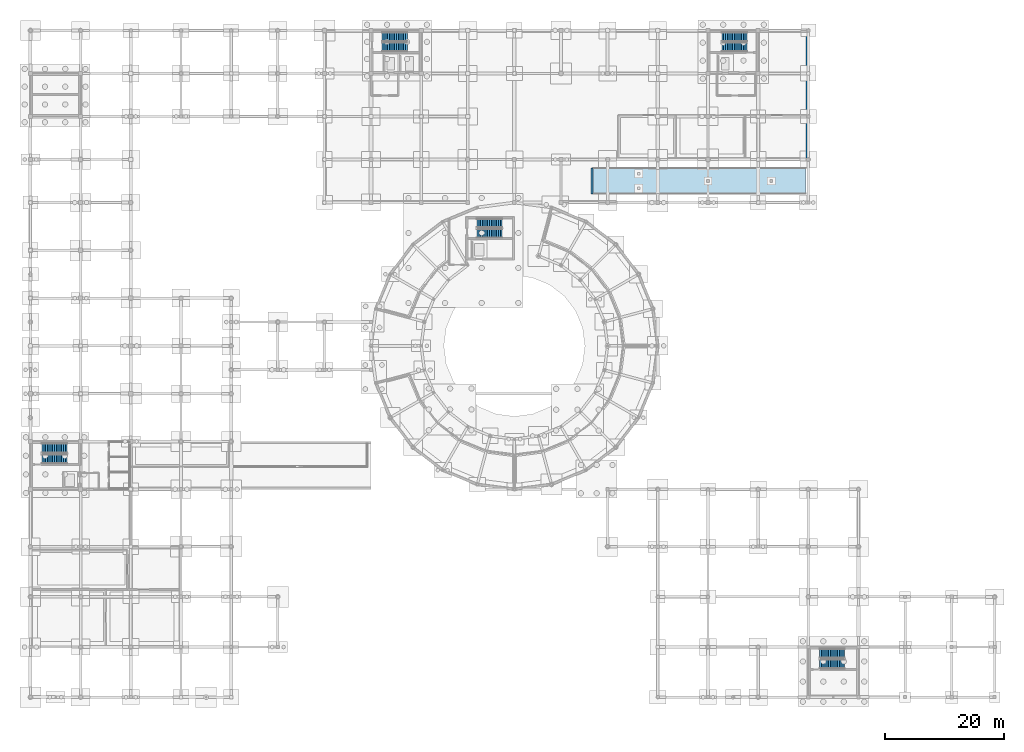
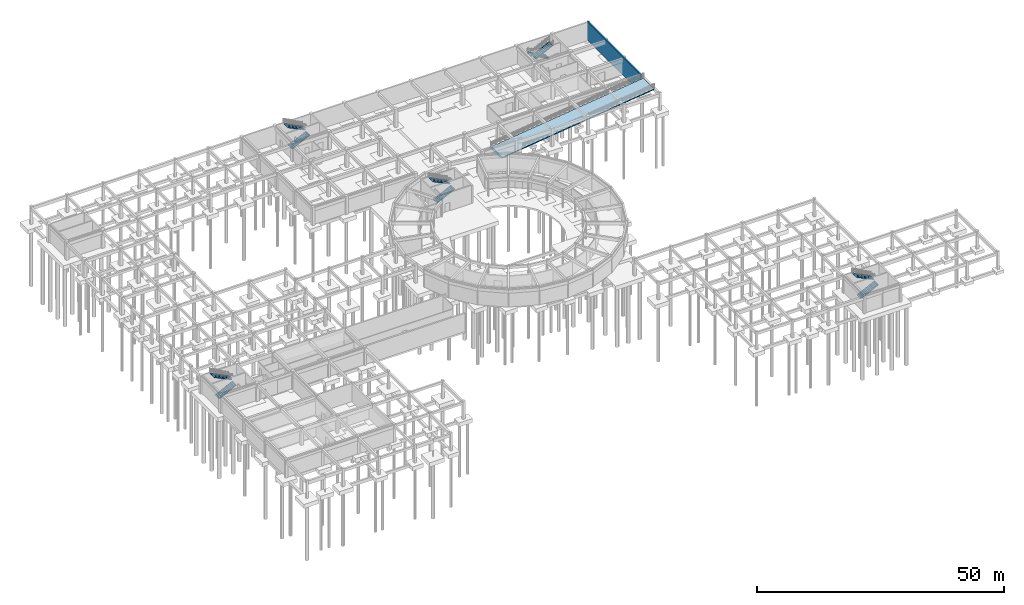
# One storey, part 34 of 43: 10 stair flights, 1 ramp, 1 slab, 1 wall, 5 elements without a shape of their own.
"""IFC4 building model written with IfcOpenShell, lengths in metres."""

from ifc_helpers import new_model, si_unit, derived_unit, direction, frame, frame_2d, origin, place, context, subcontext, project, spatial, polyline, rectangle, outline, extrude, polygons, material, layer, layer_set, type_object, element, aggregate, save


model = new_model("IFC4")

# Units and contexts
model_context = context("Model", 3, precision=1e-05, world=origin(), true_north=direction((0.0, 1.0)))
body_context = subcontext(model_context, "Body", "Model", "MODEL_VIEW")
ifc_project = project(units=[si_unit("LENGTHUNIT", "METRE"), si_unit("AREAUNIT", "SQUARE_METRE"), si_unit("VOLUMEUNIT", "CUBIC_METRE"), si_unit("PLANEANGLEUNIT", "RADIAN"), si_unit("MASSUNIT", "GRAM", prefix="KILO"), derived_unit("THERMALTRANSMITTANCEUNIT", [(si_unit("POWERUNIT", "WATT"), 1), (si_unit("AREAUNIT", "SQUARE_METRE"), -1), (si_unit("THERMODYNAMICTEMPERATUREUNIT", "KELVIN"), -1)])], contexts=[model_context])

# Slab
ifc_material_1 = material(Name="Concrete C35/45", Category="concrete")
ifc_layer_1 = layer(ifc_material_1, 0.219970703125)
ifc_layer_set_1 = layer_set([ifc_layer_1], Name="Concrete C35/45")
slab_type = type_object("IfcSlabType", Name="SLB-RAMP-220", PredefinedType="USERDEFINED", material=ifc_layer_set_1)
site_placement = place(None, origin())
building_placement = place(site_placement, origin())
storey_placement = place(building_placement, frame((0.0, 0.0, -4.5)))
slab_placement = place(storey_placement, origin())
slab = element("IfcSlab", 1, at=slab_placement, type_object=slab_type, Name="B1 Vehicle Ramp RMP-01 Structural Slab", ObjectType="RAMP", PredefinedType="USERDEFINED", context=body_context, shape_type="Tessellation", body=[
    polygons([(94.199951171875, 84.199951171875, 0.0), (129.72998046875, 84.199951171875, 4.5), (129.72998046875, 88.60009765625, 4.5), (94.199951171875, 88.60009765625, 0.0), (94.199951171875, 84.199951171875, -0.22175749997088978), (129.72998046875, 84.199951171875, 4.27824250002911), (129.72998046875, 88.60009765625, 4.27824250002911), (94.199951171875, 88.60009765625, -0.22175749997088978)], [[[4, 1, 2]], [[2, 3, 4]], [[6, 5, 8]], [[8, 7, 6]], [[5, 6, 2, 1]], [[6, 7, 3, 2]], [[7, 8, 4, 3]], [[8, 5, 1, 4]]], closed=True),
])

# Site, building, storey
site = spatial("IfcSite", under=ifc_project, at=site_placement, CompositionType="ELEMENT")
building = spatial("IfcBuilding", under=site, at=building_placement, Name="Yasenodar Specialist Clinic", CompositionType="ELEMENT")
storey = spatial("IfcBuildingStorey", under=building, at=storey_placement, Name="B1", CompositionType="ELEMENT", Elevation=-4.5)

# Wall
ifc_layer_2 = layer(ifc_material_1, 0.360107421875)
ifc_layer_set_2 = layer_set([ifc_layer_2], Name="Concrete C35/45")
wall_type = type_object("IfcWallType", Name="WL-RET-360", PredefinedType="USERDEFINED", material=ifc_layer_set_2)
wall_placement = place(storey_placement, frame((130.02001953125, 90.0, 0.0), z_axis=(0.0, 0.0, 1.0), x_axis=(0.0, 1.0, 0.0)))
element("IfcWall", 2, at=wall_placement, inside=storey, type_object=wall_type, Name="B1 Retaining Wall 12", ObjectType="RETAININGWALL", PredefinedType="USERDEFINED", context=body_context, shape_type="SweptSolid", body=[
    extrude(rectangle(XDim=21.60009765625, YDim=0.360107421875, at=frame_2d((10.800048828125, 0.0))), origin(), (0.0, 0.0, 1.0), 4.5),
])

# Stair, stair flights
ifc_material_2 = material(Name="Concrete C30/37", Category="concrete")
stair_type_1 = type_object("IfcStairType", Name="ST-DOG-C1-30", PredefinedType="HALF_TURN_STAIR", material=ifc_material_2)
stair_1_placement = place(storey_placement, origin())
stair_1 = element("IfcStair", 3, at=stair_1_placement, inside=storey, type_object=stair_type_1, Name="B1 Core C1 Exit Stair ST-01", PredefinedType="HALF_TURN_STAIR")
stair_flight_type_1 = type_object("IfcStairFlightType", Name="STF-C1-30", PredefinedType="STRAIGHT", material=ifc_material_2)
stair_flight_1_placement = place(storey_placement, frame((1.929931640625, 39.875, 0.0), z_axis=(0.0, 0.0, 1.0), x_axis=(1.0, 0.0, 0.0)))
stair_flight_1 = element("IfcStairFlight", 4, at=stair_flight_1_placement, type_object=stair_flight_type_1, Name="ST-01 flight 1", NumberOfRisers=15, NumberOfTreads=14, PredefinedType="STRAIGHT", RiserHeight=0.15, TreadLength=0.3, context=body_context, shape_type="SweptSolid", body=[
    extrude(outline(polyline([(0.0, 0.0), (0.0, 0.14990234375), (0.300048828125, 0.14990234375), (0.300048828125, 0.300048828125), (0.60009765625, 0.300048828125), (0.60009765625, 0.449951171875), (0.89990234375, 0.449951171875), (0.89990234375, 0.60009765625), (1.199951171875, 0.60009765625), (1.199951171875, 0.75), (1.5, 0.75), (1.5, 0.89990234375), (1.800048828125, 0.89990234375), (1.800048828125, 1.050048828125), (2.10009765625, 1.050048828125), (2.10009765625, 1.199951171875), (2.39990234375, 1.199951171875), (2.39990234375, 1.35009765625), (2.699951171875, 1.35009765625), (2.699951171875, 1.5), (3.0, 1.5), (3.0, 1.64990234375), (3.300048828125, 1.64990234375), (3.300048828125, 1.800048828125), (3.60009765625, 1.800048828125), (3.60009765625, 1.949951171875), (3.89990234375, 1.949951171875), (3.89990234375, 2.10009765625), (4.199951171875, 2.10009765625), (4.199951171875, 2.25), (4.199951171875, 1.921142578125), (0.357666015625, 0.0), (0.0, 0.0)])), frame((0.0, 0.81494140625, 0.0), z_axis=(0.0, -1.0, 0.0), x_axis=(1.0, 0.0, 0.0)), (0.0, 0.0, 1.0), 1.6298828125),
])
stair_flight_2_placement = place(storey_placement, frame((6.1298828125, 41.695068359375, 2.25), z_axis=(0.0, 0.0, 1.0), x_axis=(-1.0, 0.0, 0.0)))
stair_flight_2 = element("IfcStairFlight", 5, at=stair_flight_2_placement, type_object=stair_flight_type_1, Name="ST-01 flight 2", NumberOfRisers=15, NumberOfTreads=14, PredefinedType="STRAIGHT", RiserHeight=0.15, TreadLength=0.3, context=body_context, shape_type="SweptSolid", body=[
    extrude(outline(polyline([(0.0, 0.0), (0.0, 0.14990234375), (0.300048828125, 0.14990234375), (0.300048828125, 0.300048828125), (0.60009765625, 0.300048828125), (0.60009765625, 0.449951171875), (0.89990234375, 0.449951171875), (0.89990234375, 0.60009765625), (1.199951171875, 0.60009765625), (1.199951171875, 0.75), (1.5, 0.75), (1.5, 0.89990234375), (1.800048828125, 0.89990234375), (1.800048828125, 1.050048828125), (2.10009765625, 1.050048828125), (2.10009765625, 1.199951171875), (2.39990234375, 1.199951171875), (2.39990234375, 1.35009765625), (2.699951171875, 1.35009765625), (2.699951171875, 1.5), (3.0, 1.5), (3.0, 1.64990234375), (3.300048828125, 1.64990234375), (3.300048828125, 1.800048828125), (3.60009765625, 1.800048828125), (3.60009765625, 1.949951171875), (3.89990234375, 1.949951171875), (3.89990234375, 2.10009765625), (4.199951171875, 2.10009765625), (4.199951171875, 2.25), (4.199951171875, 1.921142578125), (0.357666015625, 0.0), (0.0, 0.0)])), frame((0.0, 0.81494140625, 0.0), z_axis=(0.0, -1.0, 0.0), x_axis=(1.0, 0.0, 0.0)), (0.0, 0.0, 1.0), 1.6298828125),
])
aggregate(stair_1, [stair_flight_1, stair_flight_2])

stair_type_2 = type_object("IfcStairType", Name="ST-DOG-C2-30", PredefinedType="HALF_TURN_STAIR", material=ifc_material_2)
stair_2_placement = place(storey_placement, origin())
stair_2 = element("IfcStair", 6, at=stair_2_placement, inside=storey, type_object=stair_type_2, Name="B1 Core C3 Exit Stair ST-03", PredefinedType="HALF_TURN_STAIR")
stair_flight_type_2 = type_object("IfcStairFlightType", Name="STF-C2-30", PredefinedType="STRAIGHT", material=ifc_material_2)
stair_flight_3_placement = place(storey_placement, frame((74.739990234375, 77.6298828125, 0.0), z_axis=(0.0, 0.0, 1.0), x_axis=(1.0, 0.0, 0.0)))
stair_flight_3 = element("IfcStairFlight", 7, at=stair_flight_3_placement, type_object=stair_flight_type_2, Name="ST-03 flight 1", NumberOfRisers=15, NumberOfTreads=14, PredefinedType="STRAIGHT", RiserHeight=0.15, TreadLength=0.3, context=body_context, shape_type="SweptSolid", body=[
    extrude(outline(polyline([(0.0, 0.0), (0.0, 0.14990234375), (0.300048828125, 0.14990234375), (0.300048828125, 0.300048828125), (0.60009765625, 0.300048828125), (0.60009765625, 0.449951171875), (0.89990234375, 0.449951171875), (0.89990234375, 0.60009765625), (1.199951171875, 0.60009765625), (1.199951171875, 0.75), (1.5, 0.75), (1.5, 0.89990234375), (1.800048828125, 0.89990234375), (1.800048828125, 1.050048828125), (2.10009765625, 1.050048828125), (2.10009765625, 1.199951171875), (2.39990234375, 1.199951171875), (2.39990234375, 1.35009765625), (2.699951171875, 1.35009765625), (2.699951171875, 1.5), (3.0, 1.5), (3.0, 1.64990234375), (3.300048828125, 1.64990234375), (3.300048828125, 1.800048828125), (3.60009765625, 1.800048828125), (3.60009765625, 1.949951171875), (3.89990234375, 1.949951171875), (3.89990234375, 2.10009765625), (4.199951171875, 2.10009765625), (4.199951171875, 2.25), (4.199951171875, 1.921142578125), (0.357666015625, 0.0), (0.0, 0.0)])), frame((0.0, 0.77001953125, 0.0), z_axis=(0.0, -1.0, 0.0), x_axis=(1.0, 0.0, 0.0)), (0.0, 0.0, 1.0), 1.5400390625),
])
stair_flight_4_placement = place(storey_placement, frame((78.93994140625, 79.340087890625, 2.25), z_axis=(0.0, 0.0, 1.0), x_axis=(-1.0, 0.0, 0.0)))
stair_flight_4 = element("IfcStairFlight", 8, at=stair_flight_4_placement, type_object=stair_flight_type_2, Name="ST-03 flight 2", NumberOfRisers=15, NumberOfTreads=14, PredefinedType="STRAIGHT", RiserHeight=0.15, TreadLength=0.3, context=body_context, shape_type="SweptSolid", body=[
    extrude(outline(polyline([(0.0, 0.0), (0.0, 0.14990234375), (0.300048828125, 0.14990234375), (0.300048828125, 0.300048828125), (0.60009765625, 0.300048828125), (0.60009765625, 0.449951171875), (0.89990234375, 0.449951171875), (0.89990234375, 0.60009765625), (1.199951171875, 0.60009765625), (1.199951171875, 0.75), (1.5, 0.75), (1.5, 0.89990234375), (1.800048828125, 0.89990234375), (1.800048828125, 1.050048828125), (2.10009765625, 1.050048828125), (2.10009765625, 1.199951171875), (2.39990234375, 1.199951171875), (2.39990234375, 1.35009765625), (2.699951171875, 1.35009765625), (2.699951171875, 1.5), (3.0, 1.5), (3.0, 1.64990234375), (3.300048828125, 1.64990234375), (3.300048828125, 1.800048828125), (3.60009765625, 1.800048828125), (3.60009765625, 1.949951171875), (3.89990234375, 1.949951171875), (3.89990234375, 2.10009765625), (4.199951171875, 2.10009765625), (4.199951171875, 2.25), (4.199951171875, 1.921142578125), (0.357666015625, 0.0), (0.0, 0.0)])), frame((0.0, 0.77001953125, 0.0), z_axis=(0.0, -1.0, 0.0), x_axis=(1.0, 0.0, 0.0)), (0.0, 0.0, 1.0), 1.5400390625),
])
aggregate(stair_2, [stair_flight_3, stair_flight_4])

stair_type_3 = type_object("IfcStairType", Name="ST-DOG-C4-30", PredefinedType="HALF_TURN_STAIR", material=ifc_material_2)
stair_3_placement = place(storey_placement, origin())
stair_3 = element("IfcStair", 9, at=stair_3_placement, inside=storey, type_object=stair_type_3, Name="B1 Core C4 Exit Stair ST-04", PredefinedType="HALF_TURN_STAIR")
stair_flight_type_3 = type_object("IfcStairFlightType", Name="STF-C4-30", PredefinedType="STRAIGHT", material=ifc_material_2)
stair_flight_5_placement = place(storey_placement, frame((58.8701171875, 108.794921875, 0.0), z_axis=(0.0, 0.0, 1.0), x_axis=(1.0, 0.0, 0.0)))
stair_flight_5 = element("IfcStairFlight", 10, at=stair_flight_5_placement, type_object=stair_flight_type_3, Name="ST-04 flight 1", NumberOfRisers=15, NumberOfTreads=14, PredefinedType="STRAIGHT", RiserHeight=0.15, TreadLength=0.3, context=body_context, shape_type="SweptSolid", body=[
    extrude(outline(polyline([(0.0, 0.0), (0.0, 0.14990234375), (0.300048828125, 0.14990234375), (0.300048828125, 0.300048828125), (0.60009765625, 0.300048828125), (0.60009765625, 0.449951171875), (0.89990234375, 0.449951171875), (0.89990234375, 0.60009765625), (1.199951171875, 0.60009765625), (1.199951171875, 0.75), (1.5, 0.75), (1.5, 0.89990234375), (1.800048828125, 0.89990234375), (1.800048828125, 1.050048828125), (2.10009765625, 1.050048828125), (2.10009765625, 1.199951171875), (2.39990234375, 1.199951171875), (2.39990234375, 1.35009765625), (2.699951171875, 1.35009765625), (2.699951171875, 1.5), (3.0, 1.5), (3.0, 1.64990234375), (3.300048828125, 1.64990234375), (3.300048828125, 1.800048828125), (3.60009765625, 1.800048828125), (3.60009765625, 1.949951171875), (3.89990234375, 1.949951171875), (3.89990234375, 2.10009765625), (4.199951171875, 2.10009765625), (4.199951171875, 2.25), (4.199951171875, 1.921142578125), (0.357666015625, 0.0), (0.0, 0.0)])), frame((0.0, 0.78515625, 0.0), z_axis=(0.0, -1.0, 0.0), x_axis=(1.0, 0.0, 0.0)), (0.0, 0.0, 1.0), 1.570068359375),
])
stair_flight_6_placement = place(storey_placement, frame((63.070068359375, 110.52490234375, 2.25), z_axis=(0.0, 0.0, 1.0), x_axis=(-1.0, 0.0, 0.0)))
stair_flight_6 = element("IfcStairFlight", 11, at=stair_flight_6_placement, type_object=stair_flight_type_3, Name="ST-04 flight 2", NumberOfRisers=15, NumberOfTreads=14, PredefinedType="STRAIGHT", RiserHeight=0.15, TreadLength=0.3, context=body_context, shape_type="SweptSolid", body=[
    extrude(outline(polyline([(0.0, 0.0), (0.0, 0.14990234375), (0.300048828125, 0.14990234375), (0.300048828125, 0.300048828125), (0.60009765625, 0.300048828125), (0.60009765625, 0.449951171875), (0.89990234375, 0.449951171875), (0.89990234375, 0.60009765625), (1.199951171875, 0.60009765625), (1.199951171875, 0.75), (1.5, 0.75), (1.5, 0.89990234375), (1.800048828125, 0.89990234375), (1.800048828125, 1.050048828125), (2.10009765625, 1.050048828125), (2.10009765625, 1.199951171875), (2.39990234375, 1.199951171875), (2.39990234375, 1.35009765625), (2.699951171875, 1.35009765625), (2.699951171875, 1.5), (3.0, 1.5), (3.0, 1.64990234375), (3.300048828125, 1.64990234375), (3.300048828125, 1.800048828125), (3.60009765625, 1.800048828125), (3.60009765625, 1.949951171875), (3.89990234375, 1.949951171875), (3.89990234375, 2.10009765625), (4.199951171875, 2.10009765625), (4.199951171875, 2.25), (4.199951171875, 1.921142578125), (0.357666015625, 0.0), (0.0, 0.0)])), frame((0.0, 0.78515625, 0.0), z_axis=(0.0, -1.0, 0.0), x_axis=(1.0, 0.0, 0.0)), (0.0, 0.0, 1.0), 1.570068359375),
])
aggregate(stair_3, [stair_flight_5, stair_flight_6])

stair_4_placement = place(storey_placement, origin())
stair_4 = element("IfcStair", 12, at=stair_4_placement, inside=storey, type_object=stair_type_3, Name="B1 Core C5 Exit Stair ST-05", PredefinedType="HALF_TURN_STAIR")
stair_flight_7_placement = place(storey_placement, frame((119.929931640625, 110.52490234375, 0.0), z_axis=(0.0, 0.0, 1.0), x_axis=(-1.0, 0.0, 0.0)))
stair_flight_7 = element("IfcStairFlight", 13, at=stair_flight_7_placement, type_object=stair_flight_type_3, Name="ST-05 flight 1", NumberOfRisers=15, NumberOfTreads=14, PredefinedType="STRAIGHT", RiserHeight=0.15, TreadLength=0.3, context=body_context, shape_type="SweptSolid", body=[
    extrude(outline(polyline([(0.0, 0.0), (0.0, 0.14990234375), (0.300048828125, 0.14990234375), (0.300048828125, 0.300048828125), (0.60009765625, 0.300048828125), (0.60009765625, 0.449951171875), (0.89990234375, 0.449951171875), (0.89990234375, 0.60009765625), (1.199951171875, 0.60009765625), (1.199951171875, 0.75), (1.5, 0.75), (1.5, 0.89990234375), (1.800048828125, 0.89990234375), (1.800048828125, 1.050048828125), (2.10009765625, 1.050048828125), (2.10009765625, 1.199951171875), (2.39990234375, 1.199951171875), (2.39990234375, 1.35009765625), (2.699951171875, 1.35009765625), (2.699951171875, 1.5), (3.0, 1.5), (3.0, 1.64990234375), (3.300048828125, 1.64990234375), (3.300048828125, 1.800048828125), (3.60009765625, 1.800048828125), (3.60009765625, 1.949951171875), (3.89990234375, 1.949951171875), (3.89990234375, 2.10009765625), (4.199951171875, 2.10009765625), (4.199951171875, 2.25), (4.199951171875, 1.921142578125), (0.357666015625, 0.0), (0.0, 0.0)])), frame((0.0, 0.78515625, 0.0), z_axis=(0.0, -1.0, 0.0), x_axis=(1.0, 0.0, 0.0)), (0.0, 0.0, 1.0), 1.570068359375),
])
stair_flight_8_placement = place(storey_placement, frame((115.72998046875, 108.794921875, 2.25), z_axis=(0.0, 0.0, 1.0), x_axis=(1.0, 0.0, 0.0)))
stair_flight_8 = element("IfcStairFlight", 14, at=stair_flight_8_placement, type_object=stair_flight_type_3, Name="ST-05 flight 2", NumberOfRisers=15, NumberOfTreads=14, PredefinedType="STRAIGHT", RiserHeight=0.15, TreadLength=0.3, context=body_context, shape_type="SweptSolid", body=[
    extrude(outline(polyline([(0.0, 0.0), (0.0, 0.14990234375), (0.300048828125, 0.14990234375), (0.300048828125, 0.300048828125), (0.60009765625, 0.300048828125), (0.60009765625, 0.449951171875), (0.89990234375, 0.449951171875), (0.89990234375, 0.60009765625), (1.199951171875, 0.60009765625), (1.199951171875, 0.75), (1.5, 0.75), (1.5, 0.89990234375), (1.800048828125, 0.89990234375), (1.800048828125, 1.050048828125), (2.10009765625, 1.050048828125), (2.10009765625, 1.199951171875), (2.39990234375, 1.199951171875), (2.39990234375, 1.35009765625), (2.699951171875, 1.35009765625), (2.699951171875, 1.5), (3.0, 1.5), (3.0, 1.64990234375), (3.300048828125, 1.64990234375), (3.300048828125, 1.800048828125), (3.60009765625, 1.800048828125), (3.60009765625, 1.949951171875), (3.89990234375, 1.949951171875), (3.89990234375, 2.10009765625), (4.199951171875, 2.10009765625), (4.199951171875, 2.25), (4.199951171875, 1.921142578125), (0.357666015625, 0.0), (0.0, 0.0)])), frame((0.0, 0.78515625, 0.0), z_axis=(0.0, -1.0, 0.0), x_axis=(1.0, 0.0, 0.0)), (0.0, 0.0, 1.0), 1.570068359375),
])
aggregate(stair_4, [stair_flight_7, stair_flight_8])

stair_5_placement = place(storey_placement, origin())
stair_5 = element("IfcStair", 15, at=stair_5_placement, inside=storey, type_object=stair_type_3, Name="B1 Core C6 Exit Stair ST-06", PredefinedType="HALF_TURN_STAIR")
stair_flight_9_placement = place(storey_placement, frame((132.090087890625, 5.554931640625, 0.0), z_axis=(0.0, 0.0, 1.0), x_axis=(1.0, 0.0, 0.0)))
stair_flight_9 = element("IfcStairFlight", 16, at=stair_flight_9_placement, type_object=stair_flight_type_3, Name="ST-06 flight 1", NumberOfRisers=15, NumberOfTreads=14, PredefinedType="STRAIGHT", RiserHeight=0.15, TreadLength=0.3, context=body_context, shape_type="SweptSolid", body=[
    extrude(outline(polyline([(0.0, 0.0), (0.0, 0.14990234375), (0.300048828125, 0.14990234375), (0.300048828125, 0.300048828125), (0.60009765625, 0.300048828125), (0.60009765625, 0.449951171875), (0.89990234375, 0.449951171875), (0.89990234375, 0.60009765625), (1.199951171875, 0.60009765625), (1.199951171875, 0.75), (1.5, 0.75), (1.5, 0.89990234375), (1.800048828125, 0.89990234375), (1.800048828125, 1.050048828125), (2.10009765625, 1.050048828125), (2.10009765625, 1.199951171875), (2.39990234375, 1.199951171875), (2.39990234375, 1.35009765625), (2.699951171875, 1.35009765625), (2.699951171875, 1.5), (3.0, 1.5), (3.0, 1.64990234375), (3.300048828125, 1.64990234375), (3.300048828125, 1.800048828125), (3.60009765625, 1.800048828125), (3.60009765625, 1.949951171875), (3.89990234375, 1.949951171875), (3.89990234375, 2.10009765625), (4.199951171875, 2.10009765625), (4.199951171875, 2.25), (4.199951171875, 1.921142578125), (0.357666015625, 0.0), (0.0, 0.0)])), frame((0.0, 0.794921875, 0.0), z_axis=(0.0, -1.0, 0.0), x_axis=(1.0, 0.0, 0.0)), (0.0, 0.0, 1.0), 1.590087890625),
])
stair_flight_10_placement = place(storey_placement, frame((136.2900390625, 7.324951171875, 2.25), z_axis=(0.0, 0.0, 1.0), x_axis=(-1.0, 0.0, 0.0)))
stair_flight_10 = element("IfcStairFlight", 17, at=stair_flight_10_placement, type_object=stair_flight_type_3, Name="ST-06 flight 2", NumberOfRisers=15, NumberOfTreads=14, PredefinedType="STRAIGHT", RiserHeight=0.15, TreadLength=0.3, context=body_context, shape_type="SweptSolid", body=[
    extrude(outline(polyline([(0.0, 0.0), (0.0, 0.14990234375), (0.300048828125, 0.14990234375), (0.300048828125, 0.300048828125), (0.60009765625, 0.300048828125), (0.60009765625, 0.449951171875), (0.89990234375, 0.449951171875), (0.89990234375, 0.60009765625), (1.199951171875, 0.60009765625), (1.199951171875, 0.75), (1.5, 0.75), (1.5, 0.89990234375), (1.800048828125, 0.89990234375), (1.800048828125, 1.050048828125), (2.10009765625, 1.050048828125), (2.10009765625, 1.199951171875), (2.39990234375, 1.199951171875), (2.39990234375, 1.35009765625), (2.699951171875, 1.35009765625), (2.699951171875, 1.5), (3.0, 1.5), (3.0, 1.64990234375), (3.300048828125, 1.64990234375), (3.300048828125, 1.800048828125), (3.60009765625, 1.800048828125), (3.60009765625, 1.949951171875), (3.89990234375, 1.949951171875), (3.89990234375, 2.10009765625), (4.199951171875, 2.10009765625), (4.199951171875, 2.25), (4.199951171875, 1.921142578125), (0.357666015625, 0.0), (0.0, 0.0)])), frame((0.0, 0.794921875, 0.0), z_axis=(0.0, -1.0, 0.0), x_axis=(1.0, 0.0, 0.0)), (0.0, 0.0, 1.0), 1.590087890625),
])
aggregate(stair_5, [stair_flight_9, stair_flight_10])

# Ramp
ifc_layer_3 = layer(ifc_material_1, 0.219970703125)
ifc_layer_set_3 = layer_set([ifc_layer_3], Name="Concrete C35/45")
ramp_type = type_object("IfcRampType", Name="RMP-VEH-440", PredefinedType="STRAIGHT_RUN_RAMP", material=ifc_layer_set_3)
ramp_placement = place(storey_placement, origin())
ramp = element("IfcRamp", 18, at=ramp_placement, inside=storey, type_object=ramp_type, Name="Car Park Vehicle Ramp RMP-01", PredefinedType="STRAIGHT_RUN_RAMP", context=body_context, shape_type="SweptSolid", body=[
    extrude(outline(polyline([(93.800048828125, 84.199951171875), (94.179931640625, 84.199951171875), (94.179931640625, 88.60009765625), (93.800048828125, 88.60009765625), (93.800048828125, 84.199951171875)])), origin(), (0.0, 0.0, 1.0), 0.0400390625),
])

aggregate(ramp, [slab])

save(model, "model.ifc")
